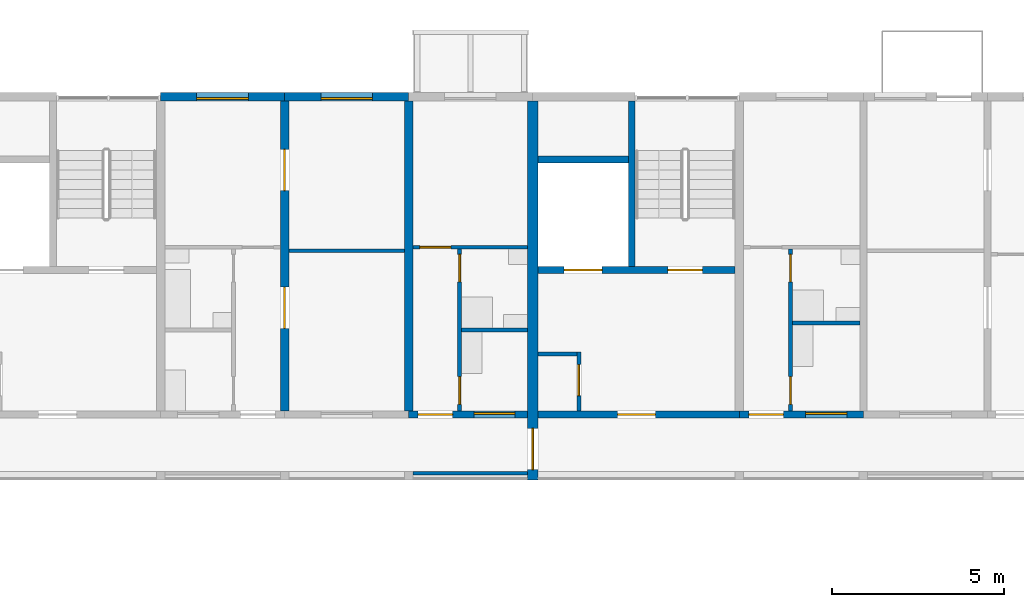
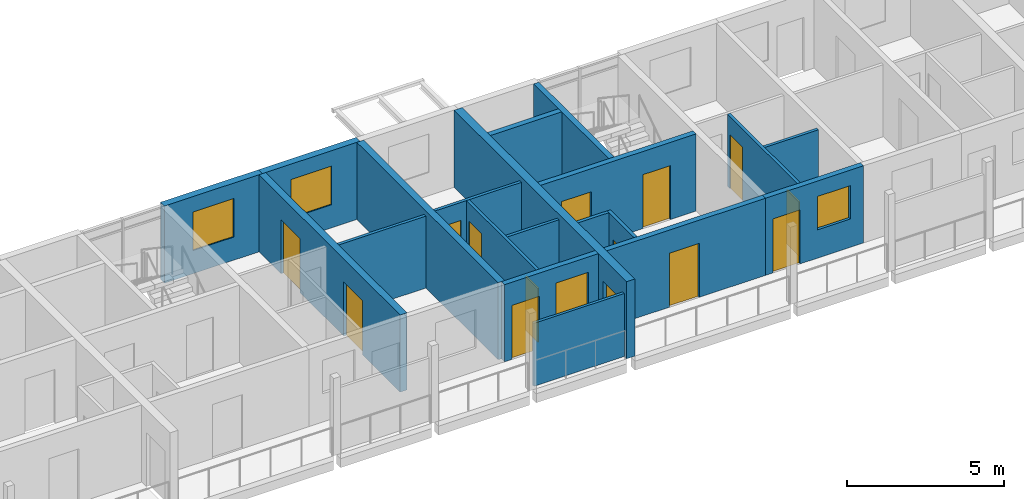
# One storey, part 69 of 115: 20 walls, 14 doors, 4 windows, 18 openings.
"""IFC4 building model written with IfcOpenShell, lengths in metres."""

from ifc_helpers import new_model, si_unit, direction, frame, frame_2d, origin, place, context, subcontext, project, spatial, rectangle, extrude, material, layer, layer_set, type_object, element, fill, save


model = new_model("IFC4")

# Units and contexts
model_context = context("Model", 3, precision=1e-05, world=origin(), true_north=direction((0.0, 1.0)))
body_context = subcontext(model_context, "Body", "Model", "MODEL_VIEW")
ifc_project = project(units=[si_unit("LENGTHUNIT", "METRE"), si_unit("AREAUNIT", "SQUARE_METRE"), si_unit("VOLUMEUNIT", "CUBIC_METRE"), si_unit("PLANEANGLEUNIT", "RADIAN"), si_unit("MASSUNIT", "GRAM", prefix="KILO")], contexts=[model_context])

# Site, building, storey
site_placement = place(None, origin())
site = spatial("IfcSite", under=ifc_project, at=site_placement, CompositionType="ELEMENT")
building_placement = place(site_placement, origin())
building = spatial("IfcBuilding", under=site, at=building_placement, Name="Ridgestep Commons", CompositionType="ELEMENT")
storey_placement = place(building_placement, frame((0.0, 0.0, 6.0)))
storey = spatial("IfcBuildingStorey", under=building, at=storey_placement, Name="L02", CompositionType="ELEMENT", Elevation=6.0)

# Wall, opening, door
ifc_material_1 = material(Name="Concrete C30/37", Category="concrete")
ifc_layer_1 = layer(ifc_material_1, 0.199951171875)
ifc_layer_set_1 = layer_set([ifc_layer_1], Name="Core south wall 200")
wall_type_1 = type_object("IfcWallType", Name="Core south wall 200", PredefinedType="SHEAR", material=ifc_layer_set_1)
wall_1_placement = place(storey_placement, frame((197.35009765625, 67.89990234375, 0.0), z_axis=(0.0, 0.0, 1.0), x_axis=(1.0, 0.0, 0.0)))
wall_1 = element("IfcWall", 1, at=wall_1_placement, inside=storey, type_object=wall_type_1, Name="Core south wall C4C L02", PredefinedType="SHEAR", context=body_context, shape_type="SweptSolid", body=[
    extrude(rectangle(XDim=5.849853515625, YDim=0.199951171875, at=frame_2d((2.9248046875, 0.0))), origin(), (0.0, 0.0, 1.0), 3.0),
])
opening_1_placement = place(wall_1_placement, frame((2.3125, 0.0, 0.0)))
opening_1 = element("IfcOpeningElement", 2, at=opening_1_placement, cuts=wall_1, Name="Opening C4C/02/1", PredefinedType="OPENING", context=body_context, shape_type="SweptSolid", body=[
    extrude(rectangle(XDim=1.10009765625, YDim=2.10009765625, at=frame_2d((0.550048828125, 1.050048828125))), frame((0.0, 0.10986328125, 0.0), z_axis=(0.0, -1.0, 0.0), x_axis=(1.0, 0.0, 0.0)), (0.0, 0.0, 1.0), 0.219970703125),
])
ifc_material_2 = material(Name="Steel fire door", Category="steel")
door_type_1 = type_object("IfcDoorType", Name="Lobby door 1100 x 2100 FD60", OperationType="NOTDEFINED", PredefinedType="DOOR", material=ifc_material_2)
door_1_placement = place(opening_1_placement, origin())
door_1 = element("IfcDoor", 3, at=door_1_placement, inside=storey, type_object=door_type_1, Name="Lobby door C4C/02/1", OperationType="SINGLE_SWING_LEFT", OverallHeight=2.10009765625, OverallWidth=1.10009765625, PredefinedType="DOOR", context=body_context, shape_type="SweptSolid", body=[
    extrude(rectangle(XDim=1.10009765625, YDim=2.10009765625, at=frame_2d((0.550048828125, 1.050048828125))), frame((0.0, 0.02490234375, 0.0), z_axis=(0.0, -1.0, 0.0), x_axis=(1.0, 0.0, 0.0)), (0.0, 0.0, 1.0), 0.050048828125),
])
fill(opening_1, door_1)

ifc_material_3 = material(Name="Concrete C30/37", Category="concrete")
ifc_layer_2 = layer(ifc_material_3, 0.1201171875)
ifc_layer_set_2 = layer_set([ifc_layer_2], Name="Core wall 120")
wall_type_2 = type_object("IfcWallType", Name="Core wall 120", PredefinedType="SHEAR", material=ifc_layer_set_2)
wall_2_placement = place(storey_placement, frame((198.5400390625, 68.0, 0.0), z_axis=(0.0, 0.0, 1.0), x_axis=(0.0, 1.0, 0.0)))
wall_2 = element("IfcWall", 4, at=wall_2_placement, inside=storey, type_object=wall_type_2, Name="Core riser w wall C4C L02", PredefinedType="SHEAR", context=body_context, shape_type="SweptSolid", body=[
    extrude(rectangle(XDim=1.719970703125, YDim=0.1201171875, at=frame_2d((0.85986328125, 0.0))), origin(), (0.0, 0.0, 1.0), 3.0),
])
opening_2_placement = place(wall_2_placement, frame((0.449951171875, 0.0, 0.0)))
opening_2 = element("IfcOpeningElement", 5, at=opening_2_placement, cuts=wall_2, Name="Opening C4C/02/4", PredefinedType="OPENING", context=body_context, shape_type="SweptSolid", body=[
    extrude(rectangle(XDim=0.89990234375, YDim=2.10009765625, at=frame_2d((0.449951171875, 1.050048828125))), frame((0.0, 0.070068359375, 0.0), z_axis=(0.0, -1.0, 0.0), x_axis=(1.0, 0.0, 0.0)), (0.0, 0.0, 1.0), 0.14013671875),
])
ifc_material_4 = material(Name="Steel fire door", Category="steel")
door_type_2 = type_object("IfcDoorType", Name="Riser door 900 x 2100 FD60", OperationType="NOTDEFINED", PredefinedType="DOOR", material=ifc_material_4)
door_2_placement = place(opening_2_placement, origin())
door_2 = element("IfcDoor", 6, at=door_2_placement, inside=storey, type_object=door_type_2, Name="Riser door C4C/02/4", OperationType="SINGLE_SWING_RIGHT", OverallHeight=2.10009765625, OverallWidth=0.89990234375, PredefinedType="DOOR", context=body_context, shape_type="SweptSolid", body=[
    extrude(rectangle(XDim=0.89990234375, YDim=2.10009765625, at=frame_2d((0.449951171875, 1.050048828125))), frame((0.0, 0.02490234375, 0.0), z_axis=(0.0, -1.0, 0.0), x_axis=(1.0, 0.0, 0.0)), (0.0, 0.0, 1.0), 0.050048828125),
])
fill(opening_2, door_2)

# Wall
wall_3_placement = place(storey_placement, frame((197.35009765625, 69.659912109375, 0.0), z_axis=(0.0, 0.0, 1.0), x_axis=(1.0, 0.0, 0.0)))
element("IfcWall", 7, at=wall_3_placement, inside=storey, type_object=wall_type_2, Name="Core riser n wall C4C L02", PredefinedType="SHEAR", context=body_context, shape_type="SweptSolid", body=[
    extrude(rectangle(XDim=1.1298828125, YDim=0.1201171875, at=frame_2d((0.56494140625, 0.0))), origin(), (0.0, 0.0, 1.0), 3.0),
])

# Wall, openings, doors
ifc_material_5 = material(Name="Concrete C30/37", Category="concrete")
ifc_layer_3 = layer(ifc_material_5, 0.199951171875)
ifc_layer_set_3 = layer_set([ifc_layer_3], Name="Core wall 200")
wall_type_3 = type_object("IfcWallType", Name="Core wall 200", PredefinedType="SHEAR", material=ifc_layer_set_3)
wall_4_placement = place(storey_placement, frame((197.35009765625, 72.10009765625, 0.0), z_axis=(0.0, 0.0, 1.0), x_axis=(1.0, 0.0, 0.0)))
wall_4 = element("IfcWall", 8, at=wall_4_placement, inside=storey, type_object=wall_type_3, Name="Core lobby wall C4C L02", PredefinedType="SHEAR", context=body_context, shape_type="SweptSolid", body=[
    extrude(rectangle(XDim=5.724853515625, YDim=0.199951171875, at=frame_2d((2.8623046875, 0.0))), origin(), (0.0, 0.0, 1.0), 3.0),
])
opening_3_placement = place(wall_4_placement, frame((3.77490234375, 0.0, 0.0)))
opening_3 = element("IfcOpeningElement", 9, at=opening_3_placement, cuts=wall_4, Name="Opening C4C/02/2", PredefinedType="OPENING", context=body_context, shape_type="SweptSolid", body=[
    extrude(rectangle(XDim=1.0, YDim=2.10009765625, at=frame_2d((0.5, 1.050048828125))), frame((0.0, 0.10986328125, 0.0), z_axis=(0.0, -1.0, 0.0), x_axis=(1.0, 0.0, 0.0)), (0.0, 0.0, 1.0), 0.219970703125),
])
opening_4_placement = place(wall_4_placement, frame((0.762451171875, 0.0, 0.0)))
opening_4 = element("IfcOpeningElement", 10, at=opening_4_placement, cuts=wall_4, Name="Opening C4C/02/3", PredefinedType="OPENING", context=body_context, shape_type="SweptSolid", body=[
    extrude(rectangle(XDim=1.10009765625, YDim=2.10009765625, at=frame_2d((0.550048828125, 1.050048828125))), frame((0.0, 0.10986328125, 0.0), z_axis=(0.0, -1.0, 0.0), x_axis=(1.0, 0.0, 0.0)), (0.0, 0.0, 1.0), 0.219970703125),
])
ifc_material_6 = material(Name="Stainless steel", Category="steel")
door_type_3 = type_object("IfcDoorType", Name="Lift landing door 1100 x 2100 FD60", OperationType="DOUBLE_DOOR_SLIDING", PredefinedType="DOOR", material=ifc_material_6)
door_3_placement = place(opening_4_placement, origin())
door_3 = element("IfcDoor", 11, at=door_3_placement, inside=storey, type_object=door_type_3, Name="Landing door LD C4C L02", OperationType="DOUBLE_DOOR_SLIDING", OverallHeight=2.10009765625, OverallWidth=1.10009765625, PredefinedType="DOOR", context=body_context, shape_type="SweptSolid", body=[
    extrude(rectangle(XDim=1.10009765625, YDim=2.10009765625, at=frame_2d((0.550048828125, 1.050048828125))), frame((0.0, 0.02490234375, 0.0), z_axis=(0.0, -1.0, 0.0), x_axis=(1.0, 0.0, 0.0)), (0.0, 0.0, 1.0), 0.050048828125),
])
fill(opening_4, door_3)
ifc_material_7 = material(Name="Steel fire door", Category="steel")
door_type_4 = type_object("IfcDoorType", Name="Stair door 1000 x 2100 FD60", OperationType="NOTDEFINED", PredefinedType="DOOR", material=ifc_material_7)
door_4_placement = place(opening_3_placement, origin())
door_4 = element("IfcDoor", 12, at=door_4_placement, inside=storey, type_object=door_type_4, Name="Stair door C4C/02/2", OperationType="SINGLE_SWING_RIGHT", OverallHeight=2.10009765625, OverallWidth=1.0, PredefinedType="DOOR", context=body_context, shape_type="SweptSolid", body=[
    extrude(rectangle(XDim=1.0, YDim=2.10009765625, at=frame_2d((0.5, 1.050048828125))), frame((0.0, 0.02490234375, 0.0), z_axis=(0.0, -1.0, 0.0), x_axis=(1.0, 0.0, 0.0)), (0.0, 0.0, 1.0), 0.050048828125),
])
fill(opening_3, door_4)

# Walls
wall_5_placement = place(storey_placement, frame((200.074951171875, 72.199951171875, 0.0), z_axis=(0.0, 0.0, 1.0), x_axis=(0.0, 1.0, 0.0)))
element("IfcWall", 13, at=wall_5_placement, inside=storey, type_object=wall_type_3, Name="Core stair wall C4C L02", PredefinedType="SHEAR", context=body_context, shape_type="SweptSolid", body=[
    extrude(rectangle(XDim=4.800048828125, YDim=0.199951171875, at=frame_2d((2.39990234375, 0.0))), origin(), (0.0, 0.0, 1.0), 3.0),
])
wall_6_placement = place(storey_placement, frame((197.35009765625, 75.300048828125, 0.0), z_axis=(0.0, 0.0, 1.0), x_axis=(1.0, 0.0, 0.0)))
element("IfcWall", 14, at=wall_6_placement, inside=storey, type_object=wall_type_3, Name="Core duct wall C4C L02", PredefinedType="SHEAR", context=body_context, shape_type="SweptSolid", body=[
    extrude(rectangle(XDim=2.625, YDim=0.199951171875, at=frame_2d((1.3125, 0.0))), origin(), (0.0, 0.0, 1.0), 3.0),
])

# Wall, openings, doors
ifc_material_8 = material(Name="Precast concrete C40/50", Category="concrete")
ifc_layer_4 = layer(ifc_material_8, 0.25)
ifc_layer_set_4 = layer_set([ifc_layer_4], Name="Cross wall 250")
wall_type_4 = type_object("IfcWallType", Name="Cross wall 250", PredefinedType="SHEAR", material=ifc_layer_set_4)
wall_7_placement = place(storey_placement, frame((190.0, 68.0, 0.0), z_axis=(0.0, 0.0, 1.0), x_axis=(0.0, 1.0, 0.0)))
wall_7 = element("IfcWall", 15, at=wall_7_placement, inside=storey, type_object=wall_type_4, Name="Cross wall C-02-1900", PredefinedType="SHEAR", context=body_context, shape_type="SweptSolid", body=[
    extrude(rectangle(XDim=9.0, YDim=0.25, at=frame_2d((4.5, 0.0))), origin(), (0.0, 0.0, 1.0), 3.0),
])
opening_5_placement = place(wall_7_placement, frame((2.39990234375, 0.0, 0.0)))
opening_5 = element("IfcOpeningElement", 16, at=opening_5_placement, cuts=wall_7, Name="Opening C3-02b/5", PredefinedType="OPENING", context=body_context, shape_type="SweptSolid", body=[
    extrude(rectangle(XDim=1.199951171875, YDim=2.10009765625, at=frame_2d((0.60009765625, 1.050048828125))), frame((0.0, 0.135009765625, 0.0), z_axis=(0.0, -1.0, 0.0), x_axis=(1.0, 0.0, 0.0)), (0.0, 0.0, 1.0), 0.27001953125),
])
opening_6_placement = place(wall_7_placement, frame((6.39990234375, 0.0, 0.0)))
opening_6 = element("IfcOpeningElement", 17, at=opening_6_placement, cuts=wall_7, Name="Opening C3-02b/6", PredefinedType="OPENING", context=body_context, shape_type="SweptSolid", body=[
    extrude(rectangle(XDim=1.199951171875, YDim=2.10009765625, at=frame_2d((0.60009765625, 1.050048828125))), frame((0.0, 0.135009765625, 0.0), z_axis=(0.0, -1.0, 0.0), x_axis=(1.0, 0.0, 0.0)), (0.0, 0.0, 1.0), 0.27001953125),
])
ifc_material_9 = material(Name="Timber door leaf", Category="wood")
door_type_5 = type_object("IfcDoorType", Name="Double door 1200 x 2100", OperationType="DOUBLE_DOOR_SINGLE_SWING", PredefinedType="DOOR", material=ifc_material_9)
door_5_placement = place(opening_5_placement, origin())
door_5 = element("IfcDoor", 18, at=door_5_placement, inside=storey, type_object=door_type_5, Name="Double door C3-02b/5", OperationType="DOUBLE_DOOR_SINGLE_SWING", OverallHeight=2.10009765625, OverallWidth=1.199951171875, PredefinedType="DOOR", context=body_context, shape_type="SweptSolid", body=[
    extrude(rectangle(XDim=1.199951171875, YDim=2.10009765625, at=frame_2d((0.60009765625, 1.050048828125))), frame((0.0, 0.02490234375, 0.0), z_axis=(0.0, -1.0, 0.0), x_axis=(1.0, 0.0, 0.0)), (0.0, 0.0, 1.0), 0.050048828125),
])
fill(opening_5, door_5)
door_6_placement = place(opening_6_placement, origin())
door_6 = element("IfcDoor", 19, at=door_6_placement, inside=storey, type_object=door_type_5, Name="Double door C3-02b/6", OperationType="DOUBLE_DOOR_SINGLE_SWING", OverallHeight=2.10009765625, OverallWidth=1.199951171875, PredefinedType="DOOR", context=body_context, shape_type="SweptSolid", body=[
    extrude(rectangle(XDim=1.199951171875, YDim=2.10009765625, at=frame_2d((0.60009765625, 1.050048828125))), frame((0.0, 0.02490234375, 0.0), z_axis=(0.0, -1.0, 0.0), x_axis=(1.0, 0.0, 0.0)), (0.0, 0.0, 1.0), 0.050048828125),
])
fill(opening_6, door_6)

# Wall
wall_8_placement = place(storey_placement, frame((193.60009765625, 68.0, 0.0), z_axis=(0.0, 0.0, 1.0), x_axis=(0.0, 1.0, 0.0)))
element("IfcWall", 20, at=wall_8_placement, inside=storey, type_object=wall_type_4, Name="Cross wall C-02-1936", PredefinedType="SHEAR", context=body_context, shape_type="SweptSolid", body=[
    extrude(rectangle(XDim=9.0, YDim=0.25, at=frame_2d((4.5, 0.0))), origin(), (0.0, 0.0, 1.0), 3.0),
])

# Wall, opening, door
ifc_material_10 = material(Name="Precast concrete C40/50", Category="concrete")
ifc_layer_5 = layer(ifc_material_10, 0.300048828125)
ifc_layer_set_5 = layer_set([ifc_layer_5], Name="Division wall 300")
wall_type_5 = type_object("IfcWallType", Name="Division wall 300", PredefinedType="SHEAR", material=ifc_layer_set_5)
wall_9_placement = place(storey_placement, frame((197.199951171875, 66.0, 0.0), z_axis=(0.0, 0.0, 1.0), x_axis=(0.0, 1.0, 0.0)))
wall_9 = element("IfcWall", 21, at=wall_9_placement, inside=storey, type_object=wall_type_5, Name="Cross wall C-02-1972", PredefinedType="SHEAR", context=body_context, shape_type="SweptSolid", body=[
    extrude(rectangle(XDim=11.0, YDim=0.300048828125, at=frame_2d((5.5, 0.0))), origin(), (0.0, 0.0, 1.0), 3.0),
])
opening_7_placement = place(wall_9_placement, frame((0.300048828125, 0.0, 0.0)))
opening_7 = element("IfcOpeningElement", 22, at=opening_7_placement, cuts=wall_9, Name="Opening C/02/G1972", PredefinedType="OPENING", context=body_context, shape_type="SweptSolid", body=[
    extrude(rectangle(XDim=1.199951171875, YDim=2.10009765625, at=frame_2d((0.60009765625, 1.050048828125))), frame((0.0, 0.159912109375, 0.0), z_axis=(0.0, -1.0, 0.0), x_axis=(1.0, 0.0, 0.0)), (0.0, 0.0, 1.0), 0.320068359375),
])
ifc_material_11 = material(Name="Steel fire door", Category="steel")
door_type_6 = type_object("IfcDoorType", Name="Division fire door 1200 x 2100 EI 240", OperationType="DOUBLE_DOOR_SINGLE_SWING", PredefinedType="DOOR", material=ifc_material_11)
door_7_placement = place(opening_7_placement, origin())
door_7 = element("IfcDoor", 23, at=door_7_placement, inside=storey, type_object=door_type_6, Name="Division fire door C/02/G1972", OperationType="DOUBLE_DOOR_SINGLE_SWING", OverallHeight=2.10009765625, OverallWidth=1.199951171875, PredefinedType="DOOR", context=body_context, shape_type="SweptSolid", body=[
    extrude(rectangle(XDim=1.199951171875, YDim=2.10009765625, at=frame_2d((0.60009765625, 1.050048828125))), frame((0.0, 0.02490234375, 0.0), z_axis=(0.0, -1.0, 0.0), x_axis=(1.0, 0.0, 0.0)), (0.0, 0.0, 1.0), 0.050048828125),
])
fill(opening_7, door_7)

# Wall, opening, window
ifc_material_12 = material(Name="Precast concrete C40/50", Category="concrete")
ifc_layer_6 = layer(ifc_material_12, 0.25)
ifc_layer_set_6 = layer_set([ifc_layer_6], Name="North facade panel 250")
wall_type_6 = type_object("IfcWallType", Name="North facade panel 250", PredefinedType="SOLIDWALL", material=ifc_layer_set_6)
wall_10_placement = place(storey_placement, frame((186.39990234375, 77.125, 0.0), z_axis=(0.0, 0.0, 1.0), x_axis=(1.0, 0.0, 0.0)))
wall_10 = element("IfcWall", 24, at=wall_10_placement, inside=storey, type_object=wall_type_6, Name="North panel C3T3 L02", PredefinedType="SOLIDWALL", context=body_context, shape_type="SweptSolid", body=[
    extrude(rectangle(XDim=3.60009765625, YDim=0.25, at=frame_2d((1.800048828125, 0.0))), origin(), (0.0, 0.0, 1.0), 3.0),
])
opening_8_placement = place(wall_10_placement, frame((1.050048828125, 0.0, 0.89990234375)))
opening_8 = element("IfcOpeningElement", 25, at=opening_8_placement, cuts=wall_10, Name="Opening W16", PredefinedType="OPENING", context=body_context, shape_type="SweptSolid", body=[
    extrude(rectangle(XDim=1.5, YDim=1.5, at=frame_2d((0.75, 0.75))), frame((0.0, 0.135009765625, 0.0), z_axis=(0.0, -1.0, 0.0), x_axis=(1.0, 0.0, 0.0)), (0.0, 0.0, 1.0), 0.27001953125),
])
ifc_material_13 = material(Name="Aluminium 6063-T6 and glass", Category="aluminium")
window_type_1 = type_object("IfcWindowType", Name="Flat window 1500 x 1500", PartitioningType="DOUBLE_PANEL_VERTICAL", PredefinedType="WINDOW", material=ifc_material_13)
window_1_placement = place(opening_8_placement, origin())
window_1 = element("IfcWindow", 26, at=window_1_placement, inside=storey, type_object=window_type_1, Name="Window C3-02b 4", OverallHeight=1.5, OverallWidth=1.5, PartitioningType="SINGLE_PANEL", PredefinedType="WINDOW", context=body_context, shape_type="SweptSolid", body=[
    extrude(rectangle(XDim=1.5, YDim=1.5, at=frame_2d((0.75, 0.75))), frame((0.0, -0.02490234375, 0.0), z_axis=(0.0, -1.0, 0.0), x_axis=(1.0, 0.0, 0.0)), (0.0, 0.0, 1.0), 0.06005859375),
])
fill(opening_8, window_1)

wall_11_placement = place(storey_placement, frame((190.0, 77.125, 0.0), z_axis=(0.0, 0.0, 1.0), x_axis=(1.0, 0.0, 0.0)))
wall_11 = element("IfcWall", 27, at=wall_11_placement, inside=storey, type_object=wall_type_6, Name="North panel C3T2 L02", PredefinedType="SOLIDWALL", context=body_context, shape_type="SweptSolid", body=[
    extrude(rectangle(XDim=3.60009765625, YDim=0.25, at=frame_2d((1.800048828125, 0.0))), origin(), (0.0, 0.0, 1.0), 3.0),
])
opening_9_placement = place(wall_11_placement, frame((1.050048828125, 0.0, 0.89990234375)))
opening_9 = element("IfcOpeningElement", 28, at=opening_9_placement, cuts=wall_11, Name="Opening W16", PredefinedType="OPENING", context=body_context, shape_type="SweptSolid", body=[
    extrude(rectangle(XDim=1.5, YDim=1.5, at=frame_2d((0.75, 0.75))), frame((0.0, 0.135009765625, 0.0), z_axis=(0.0, -1.0, 0.0), x_axis=(1.0, 0.0, 0.0)), (0.0, 0.0, 1.0), 0.27001953125),
])
window_2_placement = place(opening_9_placement, origin())
window_2 = element("IfcWindow", 29, at=window_2_placement, inside=storey, type_object=window_type_1, Name="Window C3-02b 2", OverallHeight=1.5, OverallWidth=1.5, PartitioningType="SINGLE_PANEL", PredefinedType="WINDOW", context=body_context, shape_type="SweptSolid", body=[
    extrude(rectangle(XDim=1.5, YDim=1.5, at=frame_2d((0.75, 0.75))), frame((0.0, -0.02490234375, 0.0), z_axis=(0.0, -1.0, 0.0), x_axis=(1.0, 0.0, 0.0)), (0.0, 0.0, 1.0), 0.06005859375),
])
fill(opening_9, window_2)

# Wall, openings, doors
ifc_material_14 = material(Name="Common brick 110 mm", Category="masonry")
ifc_layer_7 = layer(ifc_material_14, 0.110107421875)
ifc_layer_set_7 = layer_set([ifc_layer_7], Name="Partition 110")
wall_type_7 = type_object("IfcWallType", Name="Partition 110", PredefinedType="PARTITIONING", material=ifc_layer_set_7)
wall_12_placement = place(storey_placement, frame((195.080078125, 68.0, 0.0), z_axis=(0.0, 0.0, 1.0), x_axis=(0.0, 1.0, 0.0)))
wall_12 = element("IfcWall", 30, at=wall_12_placement, inside=storey, type_object=wall_type_7, Name="Partition C3-02a", PredefinedType="PARTITIONING", context=body_context, shape_type="SweptSolid", body=[
    extrude(rectangle(XDim=4.699951171875, YDim=0.110107421875, at=frame_2d((2.35009765625, 0.0))), origin(), (0.0, 0.0, 1.0), 2.800048828125),
])
opening_10_placement = place(wall_12_placement, frame((0.199951171875, 0.0, 0.0)))
opening_10 = element("IfcOpeningElement", 31, at=opening_10_placement, cuts=wall_12, Name="Opening C3-02a/2", PredefinedType="OPENING", context=body_context, shape_type="SweptSolid", body=[
    extrude(rectangle(XDim=0.800048828125, YDim=2.10009765625, at=frame_2d((0.39990234375, 1.050048828125))), frame((0.0, 0.06494140625, 0.0), z_axis=(0.0, -1.0, 0.0), x_axis=(1.0, 0.0, 0.0)), (0.0, 0.0, 1.0), 0.130126953125),
])
opening_11_placement = place(wall_12_placement, frame((3.75, 0.0, 0.0)))
opening_11 = element("IfcOpeningElement", 32, at=opening_11_placement, cuts=wall_12, Name="Opening C3-02a/3", PredefinedType="OPENING", context=body_context, shape_type="SweptSolid", body=[
    extrude(rectangle(XDim=0.800048828125, YDim=2.10009765625, at=frame_2d((0.39990234375, 1.050048828125))), frame((0.0, 0.06494140625, 0.0), z_axis=(0.0, -1.0, 0.0), x_axis=(1.0, 0.0, 0.0)), (0.0, 0.0, 1.0), 0.130126953125),
])
ifc_material_15 = material(Name="Timber door leaf", Category="wood")
door_type_7 = type_object("IfcDoorType", Name="Internal door 800 x 2100", OperationType="NOTDEFINED", PredefinedType="DOOR", material=ifc_material_15)
door_8_placement = place(opening_10_placement, origin())
door_8 = element("IfcDoor", 33, at=door_8_placement, inside=storey, type_object=door_type_7, Name="Internal door C3-02a/2", OperationType="SINGLE_SWING_RIGHT", OverallHeight=2.10009765625, OverallWidth=0.800048828125, PredefinedType="DOOR", context=body_context, shape_type="SweptSolid", body=[
    extrude(rectangle(XDim=0.800048828125, YDim=2.10009765625, at=frame_2d((0.39990234375, 1.050048828125))), frame((0.0, 0.02490234375, 0.0), z_axis=(0.0, -1.0, 0.0), x_axis=(1.0, 0.0, 0.0)), (0.0, 0.0, 1.0), 0.050048828125),
])
fill(opening_10, door_8)
door_9_placement = place(opening_11_placement, origin())
door_9 = element("IfcDoor", 34, at=door_9_placement, inside=storey, type_object=door_type_7, Name="Internal door C3-02a/3", OperationType="SINGLE_SWING_LEFT", OverallHeight=2.10009765625, OverallWidth=0.800048828125, PredefinedType="DOOR", context=body_context, shape_type="SweptSolid", body=[
    extrude(rectangle(XDim=0.800048828125, YDim=2.10009765625, at=frame_2d((0.39990234375, 1.050048828125))), frame((0.0, 0.02490234375, 0.0), z_axis=(0.0, -1.0, 0.0), x_axis=(1.0, 0.0, 0.0)), (0.0, 0.0, 1.0), 0.050048828125),
])
fill(opening_11, door_9)

# Wall
wall_13_placement = place(storey_placement, frame((195.135009765625, 70.35498046875, 0.0), z_axis=(0.0, 0.0, 1.0), x_axis=(1.0, 0.0, 0.0)))
element("IfcWall", 35, at=wall_13_placement, inside=storey, type_object=wall_type_7, Name="Partition C3-02a", PredefinedType="PARTITIONING", context=body_context, shape_type="SweptSolid", body=[
    extrude(rectangle(XDim=1.9150390625, YDim=0.110107421875, at=frame_2d((0.95751953125, 0.0))), origin(), (0.0, 0.0, 1.0), 2.800048828125),
])

# Wall, opening, door
wall_14_placement = place(storey_placement, frame((193.72509765625, 72.7548828125, 0.0), z_axis=(0.0, 0.0, 1.0), x_axis=(1.0, 0.0, 0.0)))
wall_14 = element("IfcWall", 36, at=wall_14_placement, inside=storey, type_object=wall_type_7, Name="Partition C3-02a", PredefinedType="PARTITIONING", context=body_context, shape_type="SweptSolid", body=[
    extrude(rectangle(XDim=3.324951171875, YDim=0.110107421875, at=frame_2d((1.66259765625, 0.0))), origin(), (0.0, 0.0, 1.0), 2.800048828125),
])
opening_12_placement = place(wall_14_placement, frame((0.199951171875, 0.0, 0.0)))
opening_12 = element("IfcOpeningElement", 37, at=opening_12_placement, cuts=wall_14, Name="Opening C3-02a/4", PredefinedType="OPENING", context=body_context, shape_type="SweptSolid", body=[
    extrude(rectangle(XDim=0.89990234375, YDim=2.10009765625, at=frame_2d((0.449951171875, 1.050048828125))), frame((0.0, 0.06494140625, 0.0), z_axis=(0.0, -1.0, 0.0), x_axis=(1.0, 0.0, 0.0)), (0.0, 0.0, 1.0), 0.130126953125),
])
ifc_material_16 = material(Name="Timber door leaf", Category="wood")
door_type_8 = type_object("IfcDoorType", Name="Internal door 900 x 2100", OperationType="NOTDEFINED", PredefinedType="DOOR", material=ifc_material_16)
door_10_placement = place(opening_12_placement, origin())
door_10 = element("IfcDoor", 38, at=door_10_placement, inside=storey, type_object=door_type_8, Name="Internal door C3-02a/4", OperationType="SINGLE_SWING_LEFT", OverallHeight=2.10009765625, OverallWidth=0.89990234375, PredefinedType="DOOR", context=body_context, shape_type="SweptSolid", body=[
    extrude(rectangle(XDim=0.89990234375, YDim=2.10009765625, at=frame_2d((0.449951171875, 1.050048828125))), frame((0.0, 0.02490234375, 0.0), z_axis=(0.0, -1.0, 0.0), x_axis=(1.0, 0.0, 0.0)), (0.0, 0.0, 1.0), 0.050048828125),
])
fill(opening_12, door_10)

# Wall
wall_15_placement = place(storey_placement, frame((190.125, 72.655029296875, 0.0), z_axis=(0.0, 0.0, 1.0), x_axis=(1.0, 0.0, 0.0)))
element("IfcWall", 39, at=wall_15_placement, inside=storey, type_object=wall_type_7, Name="Partition C3-02b", PredefinedType="PARTITIONING", context=body_context, shape_type="SweptSolid", body=[
    extrude(rectangle(XDim=3.35009765625, YDim=0.110107421875, at=frame_2d((1.675048828125, 0.0))), origin(), (0.0, 0.0, 1.0), 2.800048828125),
])

# Wall, openings, doors
wall_16_placement = place(storey_placement, frame((204.679931640625, 68.0, 0.0), z_axis=(0.0, 0.0, 1.0), x_axis=(0.0, 1.0, 0.0)))
wall_16 = element("IfcWall", 40, at=wall_16_placement, inside=storey, type_object=wall_type_7, Name="Partition C4-02b", PredefinedType="PARTITIONING", context=body_context, shape_type="SweptSolid", body=[
    extrude(rectangle(XDim=4.699951171875, YDim=0.110107421875, at=frame_2d((2.35009765625, 0.0))), origin(), (0.0, 0.0, 1.0), 2.800048828125),
])
opening_13_placement = place(wall_16_placement, frame((0.199951171875, 0.0, 0.0)))
opening_13 = element("IfcOpeningElement", 41, at=opening_13_placement, cuts=wall_16, Name="Opening C4-02b/2", PredefinedType="OPENING", context=body_context, shape_type="SweptSolid", body=[
    extrude(rectangle(XDim=0.800048828125, YDim=2.10009765625, at=frame_2d((0.39990234375, 1.050048828125))), frame((0.0, 0.06494140625, 0.0), z_axis=(0.0, -1.0, 0.0), x_axis=(1.0, 0.0, 0.0)), (0.0, 0.0, 1.0), 0.130126953125),
])
opening_14_placement = place(wall_16_placement, frame((3.75, 0.0, 0.0)))
opening_14 = element("IfcOpeningElement", 42, at=opening_14_placement, cuts=wall_16, Name="Opening C4-02b/3", PredefinedType="OPENING", context=body_context, shape_type="SweptSolid", body=[
    extrude(rectangle(XDim=0.800048828125, YDim=2.10009765625, at=frame_2d((0.39990234375, 1.050048828125))), frame((0.0, 0.06494140625, 0.0), z_axis=(0.0, -1.0, 0.0), x_axis=(1.0, 0.0, 0.0)), (0.0, 0.0, 1.0), 0.130126953125),
])
door_11_placement = place(opening_13_placement, origin())
door_11 = element("IfcDoor", 43, at=door_11_placement, inside=storey, type_object=door_type_7, Name="Internal door C4-02b/2", OperationType="SINGLE_SWING_RIGHT", OverallHeight=2.10009765625, OverallWidth=0.800048828125, PredefinedType="DOOR", context=body_context, shape_type="SweptSolid", body=[
    extrude(rectangle(XDim=0.800048828125, YDim=2.10009765625, at=frame_2d((0.39990234375, 1.050048828125))), frame((0.0, 0.02490234375, 0.0), z_axis=(0.0, -1.0, 0.0), x_axis=(1.0, 0.0, 0.0)), (0.0, 0.0, 1.0), 0.050048828125),
])
fill(opening_13, door_11)
door_12_placement = place(opening_14_placement, origin())
door_12 = element("IfcDoor", 44, at=door_12_placement, inside=storey, type_object=door_type_7, Name="Internal door C4-02b/3", OperationType="SINGLE_SWING_LEFT", OverallHeight=2.10009765625, OverallWidth=0.800048828125, PredefinedType="DOOR", context=body_context, shape_type="SweptSolid", body=[
    extrude(rectangle(XDim=0.800048828125, YDim=2.10009765625, at=frame_2d((0.39990234375, 1.050048828125))), frame((0.0, 0.02490234375, 0.0), z_axis=(0.0, -1.0, 0.0), x_axis=(1.0, 0.0, 0.0)), (0.0, 0.0, 1.0), 0.050048828125),
])
fill(opening_14, door_12)

# Walls
wall_17_placement = place(storey_placement, frame((204.735107421875, 70.554931640625, 0.0), z_axis=(0.0, 0.0, 1.0), x_axis=(1.0, 0.0, 0.0)))
element("IfcWall", 45, at=wall_17_placement, inside=storey, type_object=wall_type_7, Name="Partition C4-02b", PredefinedType="PARTITIONING", context=body_context, shape_type="SweptSolid", body=[
    extrude(rectangle(XDim=1.96484375, YDim=0.110107421875, at=frame_2d((0.982421875, 0.0))), origin(), (0.0, 0.0, 1.0), 2.800048828125),
])
ifc_material_17 = material(Name="Precast concrete C30/37", Category="concrete")
ifc_layer_8 = layer(ifc_material_17, 0.10009765625)
ifc_layer_set_8 = layer_set([ifc_layer_8], Name="Perforated gallery screen 3325 x 2450 x 100")
wall_type_8 = type_object("IfcWallType", Name="Perforated gallery screen 3325 x 2450 x 100", PredefinedType="SOLIDWALL", material=ifc_layer_set_8)
wall_18_placement = place(storey_placement, frame((193.72509765625, 66.199951171875, 0.0), z_axis=(0.0, 0.0, 1.0), x_axis=(1.0, 0.0, 0.0)))
element("IfcWall", 46, at=wall_18_placement, inside=storey, type_object=wall_type_8, Name="Gallery screen C3T1 02", PredefinedType="SOLIDWALL", context=body_context, shape_type="SweptSolid", body=[
    extrude(rectangle(XDim=3.324951171875, YDim=0.10009765625, at=frame_2d((1.66259765625, 0.0))), origin(), (0.0, 0.0, 1.0), 2.449951171875),
])

# Wall, openings, door, window
ifc_material_18 = material(Name="Precast concrete C40/50", Category="concrete")
ifc_layer_9 = layer(ifc_material_18, 0.199951171875)
ifc_layer_set_9 = layer_set([ifc_layer_9], Name="South facade panel 200")
wall_type_9 = type_object("IfcWallType", Name="South facade panel 200", PredefinedType="SOLIDWALL", material=ifc_layer_set_9)
wall_19_placement = place(storey_placement, frame((193.60009765625, 67.89990234375, 0.0), z_axis=(0.0, 0.0, 1.0), x_axis=(1.0, 0.0, 0.0)))
wall_19 = element("IfcWall", 47, at=wall_19_placement, inside=storey, type_object=wall_type_9, Name="South panel C3T1 L02", PredefinedType="SOLIDWALL", context=body_context, shape_type="SweptSolid", body=[
    extrude(rectangle(XDim=3.449951171875, YDim=0.199951171875, at=frame_2d((1.72509765625, 0.0))), origin(), (0.0, 0.0, 1.0), 3.0),
])
opening_15_placement = place(wall_19_placement, frame((1.892578125, 0.0, 1.10009765625)))
opening_15 = element("IfcOpeningElement", 48, at=opening_15_placement, cuts=wall_19, Name="Opening W08", PredefinedType="OPENING", context=body_context, shape_type="SweptSolid", body=[
    extrude(rectangle(XDim=1.199951171875, YDim=1.300048828125, at=frame_2d((0.60009765625, 0.64990234375))), frame((0.0, 0.10986328125, 0.0), z_axis=(0.0, -1.0, 0.0), x_axis=(1.0, 0.0, 0.0)), (0.0, 0.0, 1.0), 0.219970703125),
])
opening_16_placement = place(wall_19_placement, frame((0.27490234375, 0.0, 0.0)))
opening_16 = element("IfcOpeningElement", 49, at=opening_16_placement, cuts=wall_19, Name="Opening C3-02a/1", PredefinedType="OPENING", context=body_context, shape_type="SweptSolid", body=[
    extrude(rectangle(XDim=1.0, YDim=2.10009765625, at=frame_2d((0.5, 1.050048828125))), frame((0.0, 0.10986328125, 0.0), z_axis=(0.0, -1.0, 0.0), x_axis=(1.0, 0.0, 0.0)), (0.0, 0.0, 1.0), 0.219970703125),
])
ifc_material_19 = material(Name="Timber door leaf", Category="wood")
door_type_9 = type_object("IfcDoorType", Name="Flat entrance door 1000 x 2100 FD30S", OperationType="NOTDEFINED", PredefinedType="DOOR", material=ifc_material_19)
door_13_placement = place(opening_16_placement, origin())
door_13 = element("IfcDoor", 50, at=door_13_placement, inside=storey, type_object=door_type_9, Name="Flat entrance door C3-02a/1", OperationType="SINGLE_SWING_LEFT", OverallHeight=2.10009765625, OverallWidth=1.0, PredefinedType="DOOR", context=body_context, shape_type="SweptSolid", body=[
    extrude(rectangle(XDim=1.0, YDim=2.10009765625, at=frame_2d((0.5, 1.050048828125))), frame((0.0, 0.02490234375, 0.0), z_axis=(0.0, -1.0, 0.0), x_axis=(1.0, 0.0, 0.0)), (0.0, 0.0, 1.0), 0.050048828125),
])
fill(opening_16, door_13)
ifc_material_20 = material(Name="Aluminium 6063-T6 and glass", Category="aluminium")
window_type_2 = type_object("IfcWindowType", Name="Flat window 1200 x 1300", PartitioningType="SINGLE_PANEL", PredefinedType="WINDOW", material=ifc_material_20)
window_3_placement = place(opening_15_placement, origin())
window_3 = element("IfcWindow", 51, at=window_3_placement, inside=storey, type_object=window_type_2, Name="Window C3-02a 1", OverallHeight=1.300048828125, OverallWidth=1.199951171875, PartitioningType="SINGLE_PANEL", PredefinedType="WINDOW", context=body_context, shape_type="SweptSolid", body=[
    extrude(rectangle(XDim=1.199951171875, YDim=1.300048828125, at=frame_2d((0.60009765625, 0.64990234375))), frame((0.0, 0.06005859375, 0.0), z_axis=(0.0, -1.0, 0.0), x_axis=(1.0, 0.0, 0.0)), (0.0, 0.0, 1.0), 0.06005859375),
])
fill(opening_15, window_3)

wall_20_placement = place(storey_placement, frame((203.199951171875, 67.89990234375, 0.0), z_axis=(0.0, 0.0, 1.0), x_axis=(1.0, 0.0, 0.0)))
wall_20 = element("IfcWall", 52, at=wall_20_placement, inside=storey, type_object=wall_type_9, Name="South panel C4T3 L02", PredefinedType="SOLIDWALL", context=body_context, shape_type="SweptSolid", body=[
    extrude(rectangle(XDim=3.60009765625, YDim=0.199951171875, at=frame_2d((1.800048828125, 0.0))), origin(), (0.0, 0.0, 1.0), 3.0),
])
opening_17_placement = place(wall_20_placement, frame((1.91748046875, 0.0, 1.10009765625)))
opening_17 = element("IfcOpeningElement", 53, at=opening_17_placement, cuts=wall_20, Name="Opening W08", PredefinedType="OPENING", context=body_context, shape_type="SweptSolid", body=[
    extrude(rectangle(XDim=1.199951171875, YDim=1.300048828125, at=frame_2d((0.60009765625, 0.64990234375))), frame((0.0, 0.10986328125, 0.0), z_axis=(0.0, -1.0, 0.0), x_axis=(1.0, 0.0, 0.0)), (0.0, 0.0, 1.0), 0.219970703125),
])
opening_18_placement = place(wall_20_placement, frame((0.27490234375, 0.0, 0.0)))
opening_18 = element("IfcOpeningElement", 54, at=opening_18_placement, cuts=wall_20, Name="Opening C4-02b/1", PredefinedType="OPENING", context=body_context, shape_type="SweptSolid", body=[
    extrude(rectangle(XDim=1.0, YDim=2.10009765625, at=frame_2d((0.5, 1.050048828125))), frame((0.0, 0.10986328125, 0.0), z_axis=(0.0, -1.0, 0.0), x_axis=(1.0, 0.0, 0.0)), (0.0, 0.0, 1.0), 0.219970703125),
])
door_14_placement = place(opening_18_placement, origin())
door_14 = element("IfcDoor", 55, at=door_14_placement, inside=storey, type_object=door_type_9, Name="Flat entrance door C4-02b/1", OperationType="SINGLE_SWING_LEFT", OverallHeight=2.10009765625, OverallWidth=1.0, PredefinedType="DOOR", context=body_context, shape_type="SweptSolid", body=[
    extrude(rectangle(XDim=1.0, YDim=2.10009765625, at=frame_2d((0.5, 1.050048828125))), frame((0.0, 0.02490234375, 0.0), z_axis=(0.0, -1.0, 0.0), x_axis=(1.0, 0.0, 0.0)), (0.0, 0.0, 1.0), 0.050048828125),
])
fill(opening_18, door_14)
window_4_placement = place(opening_17_placement, origin())
window_4 = element("IfcWindow", 56, at=window_4_placement, inside=storey, type_object=window_type_2, Name="Window C4-02b 1", OverallHeight=1.300048828125, OverallWidth=1.199951171875, PartitioningType="SINGLE_PANEL", PredefinedType="WINDOW", context=body_context, shape_type="SweptSolid", body=[
    extrude(rectangle(XDim=1.199951171875, YDim=1.300048828125, at=frame_2d((0.60009765625, 0.64990234375))), frame((0.0, 0.06005859375, 0.0), z_axis=(0.0, -1.0, 0.0), x_axis=(1.0, 0.0, 0.0)), (0.0, 0.0, 1.0), 0.06005859375),
])
fill(opening_17, window_4)

save(model, "model.ifc")
